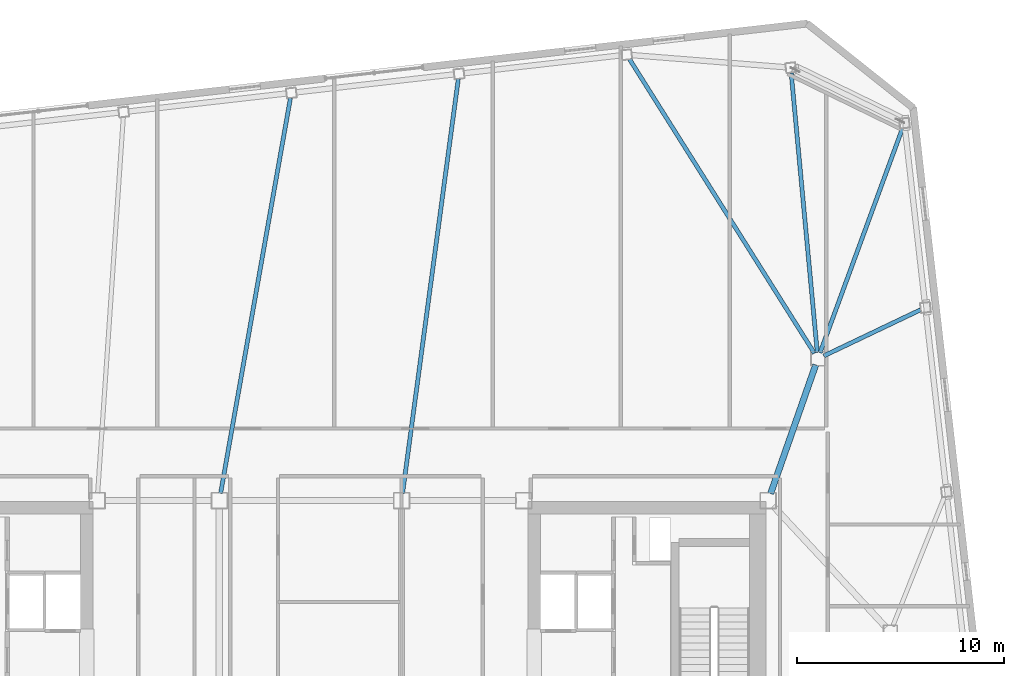
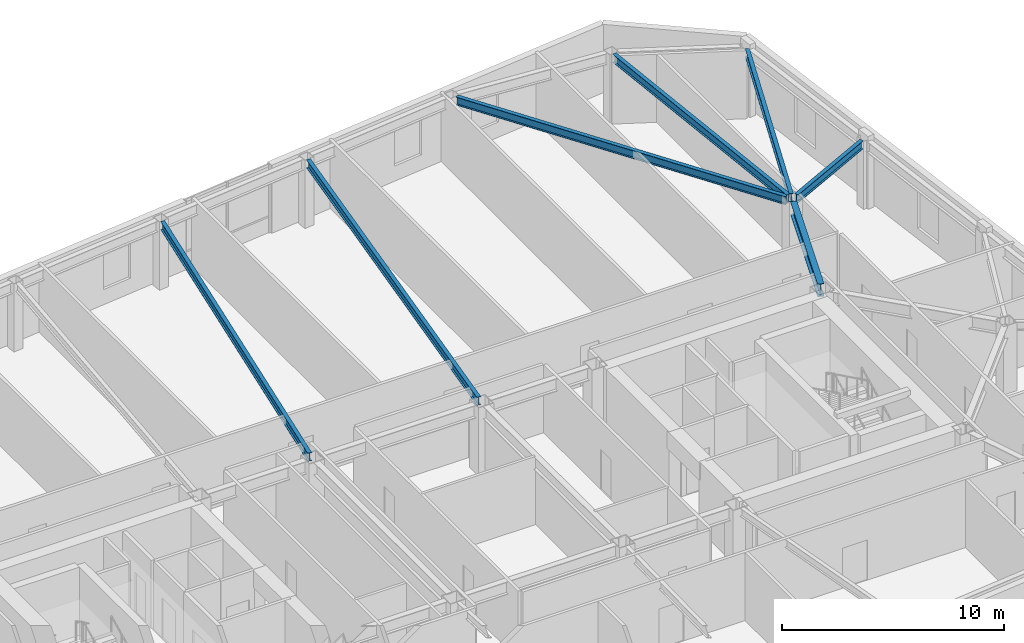
# One storey, part 9 of 19: 7 beams.
"""IFC4 building model written with IfcOpenShell, lengths in metres."""

from ifc_helpers import new_model, si_unit, direction, frame, origin, origin_2d, place, context, subcontext, project, spatial, i_section, extrude, material, material_profile, profile_set, type_object, element, save


model = new_model("IFC4")

# Units and contexts
model_context = context("Model", 3, precision=1e-05, world=origin(), true_north=direction((0.0, 1.0)))
body_context = subcontext(model_context, "Body", "Model", "MODEL_VIEW")
ifc_project = project(units=[si_unit("LENGTHUNIT", "METRE"), si_unit("AREAUNIT", "SQUARE_METRE"), si_unit("VOLUMEUNIT", "CUBIC_METRE"), si_unit("PLANEANGLEUNIT", "RADIAN"), si_unit("MASSUNIT", "GRAM", prefix="KILO")], contexts=[model_context])

# Site, building, storey
site_placement = place(None, origin())
site = spatial("IfcSite", under=ifc_project, at=site_placement, CompositionType="ELEMENT")
building_placement = place(site_placement, origin())
building = spatial("IfcBuilding", under=site, at=building_placement, Name="Tavrogorsk Clinical Tower", CompositionType="ELEMENT")
storey_placement = place(building_placement, frame((0.0, 0.0, 263.0)))
storey = spatial("IfcBuildingStorey", under=building, at=storey_placement, Name="L61", CompositionType="ELEMENT", Elevation=263.0)

# Beams
ifc_material_1 = material(Name="Structural steel S355", Category="steel")
ifc_material_profile_1 = material_profile(ifc_material_1, i_section(OverallWidth=0.199951171875, OverallDepth=0.449951171875, WebThickness=0.011474609375, FlangeThickness=0.01806640625, at=origin_2d()), Name="B-450x200x11.5x18")
ifc_profile_set_1 = profile_set([ifc_material_profile_1], Name="Structural steel S355")
beam_type_1 = type_object("IfcBeamType", Name="FloorBeam_B450", PredefinedType="BEAM", material=ifc_profile_set_1)
beam_1_placement = place(storey_placement, frame((24.47119140625, 13.508544921875, 3.514892578125), z_axis=(-0.092940409745, 0.99567167291, 0.0), x_axis=(-0.99567167291, -0.092940409745, 0.0)))
element("IfcBeam", 1, at=beam_1_placement, inside=storey, type_object=beam_type_1, Name="L61 Radial Floor Beam N1", PredefinedType="BEAM", context=body_context, shape_type="SweptSolid", body=[
    extrude(i_section(OverallWidth=0.199951171875, OverallDepth=0.449951171875, WebThickness=0.011474609375, FlangeThickness=0.01806640625, at=origin_2d()), origin(), (0.0, 0.0, 1.0), 13.546630859375),
])
beam_2_placement = place(storey_placement, frame((24.3349609375, 13.46240234375, 3.514892578125), z_axis=(-0.53234144439, 0.84652973166, 0.0), x_axis=(-0.84652973166, -0.53234144439, 0.0)))
element("IfcBeam", 2, at=beam_2_placement, inside=storey, type_object=beam_type_1, Name="L61 Radial Floor Beam N2", PredefinedType="BEAM", context=body_context, shape_type="SweptSolid", body=[
    extrude(i_section(OverallWidth=0.199951171875, OverallDepth=0.449951171875, WebThickness=0.011474609375, FlangeThickness=0.01806640625, at=origin_2d()), origin(), (0.0, 0.0, 1.0), 16.7734375),
])
beam_3_placement = place(storey_placement, frame((4.447998046875, 6.706787109375, 3.514892578125), z_axis=(0.133328812355, 0.991071858039, 0.0), x_axis=(-0.991071858039, 0.133328812355, 0.0)))
element("IfcBeam", 3, at=beam_3_placement, inside=storey, type_object=beam_type_1, Name="L61 Radial Floor Beam N3", PredefinedType="BEAM", context=body_context, shape_type="SweptSolid", body=[
    extrude(i_section(OverallWidth=0.199951171875, OverallDepth=0.449951171875, WebThickness=0.011474609375, FlangeThickness=0.01806640625, at=origin_2d()), origin(), (0.0, 0.0, 1.0), 20.17529296875),
])
beam_4_placement = place(storey_placement, frame((-4.33740234375, 6.70458984375, 3.514892578125), z_axis=(0.173894614236, 0.984764267802, 0.0), x_axis=(-0.984764267802, 0.173894614236, 0.0)))
element("IfcBeam", 4, at=beam_4_placement, inside=storey, type_object=beam_type_1, Name="L61 Radial Floor Beam N4", PredefinedType="BEAM", context=body_context, shape_type="SweptSolid", body=[
    extrude(i_section(OverallWidth=0.199951171875, OverallDepth=0.449951171875, WebThickness=0.011474609375, FlangeThickness=0.01806640625, at=origin_2d()), origin(), (0.0, 0.0, 1.0), 19.371826171875),
])
beam_5_placement = place(storey_placement, frame((24.77978515625, 13.333251953125, 3.514892578125), z_axis=(0.90270896244, 0.43025170439, 0.0), x_axis=(-0.43025170439, 0.90270896244, 0.0)))
element("IfcBeam", 5, at=beam_5_placement, inside=storey, type_object=beam_type_1, Name="L61 Radial Floor Beam E4", PredefinedType="BEAM", context=body_context, shape_type="SweptSolid", body=[
    extrude(i_section(OverallWidth=0.199951171875, OverallDepth=0.449951171875, WebThickness=0.011474609375, FlangeThickness=0.01806640625, at=origin_2d()), origin(), (0.0, 0.0, 1.0), 5.182861328125),
])
beam_6_placement = place(storey_placement, frame((24.60693359375, 13.490966796875, 3.514892578125), z_axis=(0.34467380093, 0.938722520744, 0.0), x_axis=(-0.938722520744, 0.34467380093, 0.0)))
element("IfcBeam", 6, at=beam_6_placement, inside=storey, type_object=beam_type_1, Name="L61 Radial Floor Beam E5", PredefinedType="BEAM", context=body_context, shape_type="SweptSolid", body=[
    extrude(i_section(OverallWidth=0.199951171875, OverallDepth=0.449951171875, WebThickness=0.011474609375, FlangeThickness=0.01806640625, at=origin_2d()), origin(), (0.0, 0.0, 1.0), 11.55126953125),
])
ifc_material_2 = material(Name="Structural steel S390", Category="steel")
ifc_material_profile_2 = material_profile(ifc_material_2, i_section(OverallWidth=0.300048828125, OverallDepth=0.699951171875, WebThickness=0.01708984375, FlangeThickness=0.028076171875, at=origin_2d()), Name="B-700x300x17x28")
ifc_profile_set_2 = profile_set([ifc_material_profile_2], Name="Structural steel S390")
beam_type_2 = type_object("IfcBeamType", Name="PrimaryGirder_B700", PredefinedType="USERDEFINED", material=ifc_profile_set_2)
beam_7_placement = place(storey_placement, frame((24.3974609375, 12.907470703125, 3.389892578125), z_axis=(-0.330654121425, -0.943752007672, 0.0), x_axis=(0.943752007672, -0.330654121425, 0.0)))
element("IfcBeam", 7, at=beam_7_placement, inside=storey, type_object=beam_type_2, Name="L61 Spine Link Girder OPG-4", ObjectType="GIRDER", PredefinedType="USERDEFINED", context=body_context, shape_type="SweptSolid", body=[
    extrude(i_section(OverallWidth=0.300048828125, OverallDepth=0.699951171875, WebThickness=0.01708984375, FlangeThickness=0.028076171875, at=origin_2d()), origin(), (0.0, 0.0, 1.0), 6.58837890625),
])

save(model, "model.ifc")
